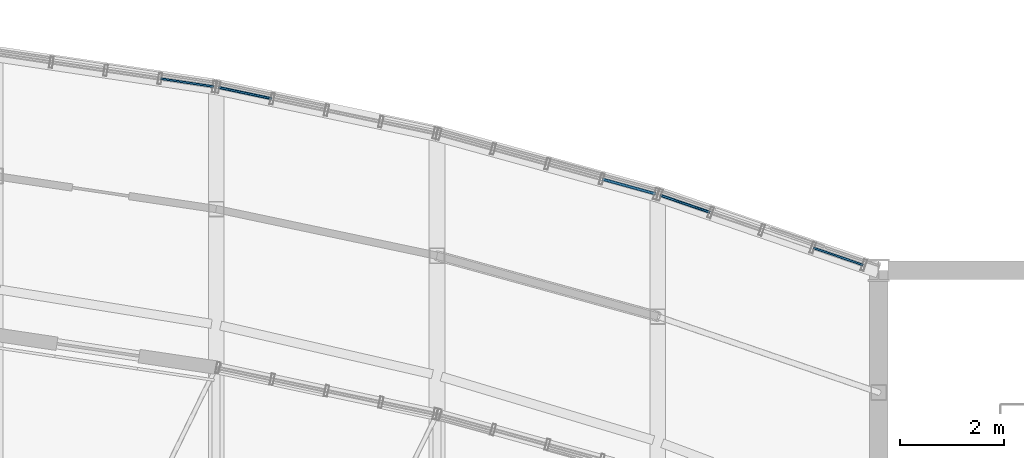
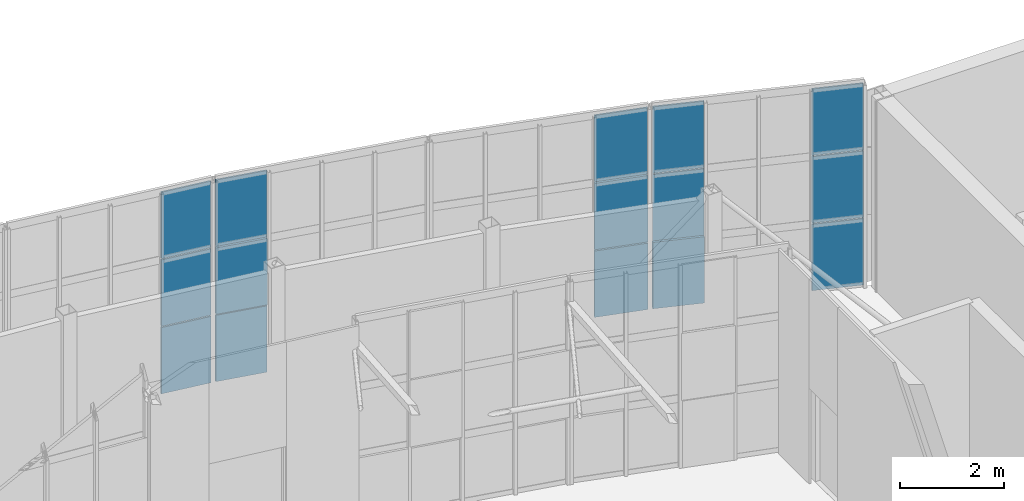
# One storey, part 30 of 35: 15 plates, 4 elements without a shape of their own.
"""IFC4 building model written with IfcOpenShell, lengths in metres."""

import ifcopenshell
import ifcopenshell.guid

model = None  # the IFC model being written
_history = None  # IfcOwnerHistory: only IFC2X3 demands one
_inside = {}  # id of a spatial element -> (the spatial element, [elements in it])
_under = {}  # id of a project, library or spatial element -> (it, [spatial elements below it])
_declared = {}  # id of a project -> (the project, [libraries it declares])
_typed = {}  # id of a type object -> (the type object, [elements of that type])
_made_of = {}  # id of a material, layer set ... -> (it, [elements and type objects made of it])


def new_model(schema):
    """Start an empty IFC model of exactly this schema.

    Asked for "IFC4X3", IfcOpenShell would pick the latest addendum, in which some entities
    have other attributes; the version numbers below select the first issue.
    IFC2X3 requires an IfcOwnerHistory on every rooted entity: one is made here for all.
    """
    global model, _history
    if schema == "IFC4X3":
        model = ifcopenshell.file(schema_version=(4, 3, 0, 0))
    else:
        model = ifcopenshell.file(schema=schema)
    _inside.clear()
    _under.clear()
    _declared.clear()
    _typed.clear()
    _made_of.clear()
    _history = None
    if model.schema == "IFC2X3":
        org = make("IfcOrganization", Name="unknown")
        user = make(
            "IfcPersonAndOrganization",
            ThePerson=make("IfcPerson", FamilyName="unknown"),
            TheOrganization=org,
        )
        app = make(
            "IfcApplication",
            ApplicationDeveloper=org,
            Version="unknown",
            ApplicationFullName="unknown",
            ApplicationIdentifier="unknown",
        )
        _history = make(
            "IfcOwnerHistory",
            OwningUser=user,
            OwningApplication=app,
            ChangeAction="ADDED",
            CreationDate=0,
        )
    return model


def make(cls, **values):
    """One entity of the class cls with the attributes given. An attribute that is None is left unset."""
    return model.create_entity(
        cls, **{name: value for name, value in values.items() if value is not None}
    )


def rooted(cls, **values):
    """An entity with a GlobalId (a new one), such as an element, a storey or a relation."""
    return make(cls, GlobalId=ifcopenshell.guid.new(), OwnerHistory=_history, **values)


def si_unit(unit_type, name, prefix=None):
    """IfcSIUnit, for example si_unit("LENGTHUNIT", "METRE", prefix="MILLI")."""
    return make("IfcSIUnit", UnitType=unit_type, Prefix=prefix, Name=name)


def assignment(units):
    """IfcUnitAssignment: the units of a project."""
    return None if units is None else make("IfcUnitAssignment", Units=units)


def point(xyz):
    """IfcCartesianPoint."""
    return None if xyz is None else make("IfcCartesianPoint", Coordinates=xyz)


def direction(xyz):
    """IfcDirection."""
    return None if xyz is None else make("IfcDirection", DirectionRatios=xyz)


def frame(location, z_axis=None, x_axis=None):
    """IfcAxis2Placement3D, a coordinate frame: its origin and axes. An axis left out is left unset."""
    return make(
        "IfcAxis2Placement3D",
        Location=point(location),
        Axis=direction(z_axis),
        RefDirection=direction(x_axis),
    )


def frame_2d(location, x_axis=None):
    """IfcAxis2Placement2D, a coordinate frame in the plane: its origin and x axis."""
    return make(
        "IfcAxis2Placement2D", Location=point(location), RefDirection=direction(x_axis)
    )


def origin():
    """The frame at (0, 0, 0) with its axes left unset."""
    return frame((0.0, 0.0, 0.0))


def origin_2d():
    """The frame at (0, 0) in the plane with its x axis left unset."""
    return frame_2d((0.0, 0.0))


def place(relative_to, where):
    """IfcLocalPlacement: puts the frame where relative to a parent placement (None: the world)."""
    return make(
        "IfcLocalPlacement", PlacementRelTo=relative_to, RelativePlacement=where
    )


def context(
    kind, dimensions, precision=None, world=None, true_north=None, identifier=None
):
    """IfcGeometricRepresentationContext, for example the 3D "Model" context."""
    return make(
        "IfcGeometricRepresentationContext",
        ContextIdentifier=identifier,
        ContextType=kind,
        CoordinateSpaceDimension=dimensions,
        Precision=precision,
        WorldCoordinateSystem=world,
        TrueNorth=true_north,
    )


def subcontext(parent, identifier, kind, view, scale=None):
    """IfcGeometricRepresentationSubContext, for example "Body" below "Model"."""
    return make(
        "IfcGeometricRepresentationSubContext",
        ContextIdentifier=identifier,
        ContextType=kind,
        ParentContext=parent,
        TargetScale=scale,
        TargetView=view,
    )


def project(units=None, contexts=None):
    """IfcProject with its units and contexts."""
    return rooted(
        "IfcProject",
        Name="project",
        RepresentationContexts=contexts,
        UnitsInContext=assignment(units),
    )


def spatial(cls, under=None, at=None, **own):
    """A site, building, storey or space (cls), placed at a placement, below another one or the project."""
    s = rooted(cls, ObjectPlacement=at, **own)
    if under is not None:
        _under.setdefault(under.id(), (under, []))[1].append(s)
    return s


def profile(cls, at=None, kind="AREA", **sizes):
    """A parametric profile (cls). Its sizes go by their IFC names, for example OverallWidth=200.0."""
    return make(cls, ProfileType=kind, Position=at, **sizes)


def rectangle(**sizes):
    """IfcRectangleProfileDef."""
    return profile("IfcRectangleProfileDef", **sizes)


def extrude(swept, where, along, depth):
    """IfcExtrudedAreaSolid: the profile swept, set in the frame where, extruded along a direction by depth."""
    return make(
        "IfcExtrudedAreaSolid",
        SweptArea=swept,
        Position=where,
        ExtrudedDirection=direction(along),
        Depth=depth,
    )


def shape(context_of_items, identifier, shape_type, items):
    """IfcShapeRepresentation: the items that make up one representation, for example the "Body"."""
    return make(
        "IfcShapeRepresentation",
        ContextOfItems=context_of_items,
        RepresentationIdentifier=identifier,
        RepresentationType=shape_type,
        Items=items,
    )


def material(Name=None, Category=None):
    """IfcMaterial."""
    return make("IfcMaterial", Name=Name, Category=Category)


def layer(
    of_material, thickness, ventilated=None, Name=None, Category=None, Priority=None
):
    """IfcMaterialLayer: one layer of a wall or slab, of a material (None: an air gap)."""
    return make(
        "IfcMaterialLayer",
        Material=of_material,
        LayerThickness=thickness,
        IsVentilated=ventilated,
        Name=Name,
        Category=Category,
        Priority=Priority,
    )


def layer_set(layers, Name=None):
    """IfcMaterialLayerSet."""
    return make("IfcMaterialLayerSet", MaterialLayers=layers, LayerSetName=Name)


def made_of(thing, what):
    """Note that an element or type object is made of a material, layer set ...; save() writes the relation."""
    if what is not None:
        _made_of.setdefault(what.id(), (what, []))[1].append(thing)
    return thing


def type_object(cls, material=None, **own):
    """A type object (cls), such as IfcWallType, which elements share."""
    return made_of(rooted(cls, **own), material)


def element(
    cls,
    number,
    at=None,
    inside=None,
    cuts=None,
    type_object=None,
    material=None,
    context=None,
    identifier="Body",
    shape_type=None,
    held_by="IfcProductDefinitionShape",
    body=None,
    shapes=None,
    **own,
):
    """One element of the class cls, such as IfcWall. Its Tag is "e" and its number.

    at: its placement. inside: the storey or other place that contains it. cuts: it is an
    opening in that element (IfcRelVoidsElement). A single representation is given by context,
    identifier, shape_type and body (its items); several are given by shapes. held_by: the class
    of the entity that holds the representations. save() writes the other relations.
    """
    e = rooted(cls, Tag="e%d" % number, ObjectPlacement=at, **own)
    if body is not None:
        shapes = [shape(context, identifier, shape_type, body)]
    if shapes is not None:
        e.Representation = make(held_by, Representations=shapes)
    if inside is not None:
        _inside.setdefault(inside.id(), (inside, []))[1].append(e)
    if cuts is not None:
        rooted(
            "IfcRelVoidsElement", RelatingBuildingElement=cuts, RelatedOpeningElement=e
        )
    if type_object is not None:
        _typed.setdefault(type_object.id(), (type_object, []))[1].append(e)
    return made_of(e, material)


def aggregate(whole, parts):
    """IfcRelAggregates: a whole, such as a stair, and the parts it consists of."""
    return rooted("IfcRelAggregates", RelatingObject=whole, RelatedObjects=parts)


def save(model, path):
    """Write the relations noted so far, then the file.

    IfcRelAggregates (storeys below a building ...), IfcRelContainedInSpatialStructure (elements
    in a storey), IfcRelDefinesByType, IfcRelAssociatesMaterial and IfcRelDeclares: one each for
    every whole, place, type object, material and project.
    """
    for whole, parts in _under.values():
        aggregate(whole, parts)
    for where, things in _inside.values():
        rooted(
            "IfcRelContainedInSpatialStructure",
            RelatedElements=things,
            RelatingStructure=where,
        )
    for kind, things in _typed.values():
        rooted("IfcRelDefinesByType", RelatedObjects=things, RelatingType=kind)
    for what, things in _made_of.values():
        rooted("IfcRelAssociatesMaterial", RelatedObjects=things, RelatingMaterial=what)
    for by, libraries in _declared.values():
        rooted("IfcRelDeclares", RelatingContext=by, RelatedDefinitions=libraries)
    model.write(path)


model = new_model("IFC4")

# Units and contexts
model_context = context("Model", 3, precision=1e-05, world=origin(), true_north=direction((0.0, 1.0)))
body_context = subcontext(model_context, "Body", "Model", "MODEL_VIEW")
ifc_project = project(units=[si_unit("LENGTHUNIT", "METRE"), si_unit("AREAUNIT", "SQUARE_METRE"), si_unit("VOLUMEUNIT", "CUBIC_METRE"), si_unit("PLANEANGLEUNIT", "RADIAN"), si_unit("MASSUNIT", "GRAM", prefix="KILO")], contexts=[model_context])

# Site, building, storey
site_placement = place(None, origin())
site = spatial("IfcSite", under=ifc_project, at=site_placement, CompositionType="ELEMENT")
building_placement = place(site_placement, origin())
building = spatial("IfcBuilding", under=site, at=building_placement, Name="Solvikara Media Centre", CompositionType="ELEMENT")
storey_placement = place(building_placement, frame((0.0, 0.0, 29.39990234375)))
storey = spatial("IfcBuildingStorey", under=building, at=storey_placement, Name="L06", CompositionType="ELEMENT", Elevation=29.39990234375)

# Curtain wall, plates
ifc_material_1 = material(Name="Anodised aluminium EN AW-6063", Category="aluminium")
curtain_wall_type = type_object("IfcCurtainWallType", Name="CW-13", PredefinedType="NOTDEFINED", material=ifc_material_1)
curtain_wall_1_placement = place(storey_placement, origin())
curtain_wall_1 = element("IfcCurtainWall", 1, at=curtain_wall_1_placement, inside=storey, type_object=curtain_wall_type, Name="CW-L06-NARC-08", PredefinedType="NOTDEFINED")
ifc_material_2 = material(Name="Laminated solar-control cyan vision glass", Category="glass")
ifc_layer_1 = layer(ifc_material_2, 0.035888671875)
ifc_layer_set_1 = layer_set([ifc_layer_1], Name="Laminated solar-control cyan vision glass")
plate_type_1 = type_object("IfcPlateType", Name="PN-04", PredefinedType="CURTAIN_PANEL", material=ifc_layer_set_1)
plate_1_placement = place(storey_placement, frame((114.19189453125, 40.412109375, 0.03466796875), z_axis=(0.0, 0.0, 1.0), x_axis=(0.989005541908, -0.147878457102, 0.0)))
plate_1 = element("IfcPlate", 2, at=plate_1_placement, type_object=plate_type_1, Name="CW-L06-NARC-08-P0300", PredefinedType="CURTAIN_PANEL", context=body_context, shape_type="SweptSolid", body=[
    extrude(rectangle(XDim=1.027099609375, YDim=0.035888671875, at=origin_2d()), origin(), (0.0, 0.0, 1.0), 1.556884765625),
])
plate_2_placement = place(storey_placement, frame((114.19189453125, 40.412109375, 1.62158203125), z_axis=(0.0, 0.0, 1.0), x_axis=(0.989005541908, -0.147878457102, 0.0)))
plate_2 = element("IfcPlate", 3, at=plate_2_placement, type_object=plate_type_1, Name="CW-L06-NARC-08-P0301", PredefinedType="CURTAIN_PANEL", context=body_context, shape_type="SweptSolid", body=[
    extrude(rectangle(XDim=1.027099609375, YDim=0.035888671875, at=origin_2d()), origin(), (0.0, 0.0, 1.0), 1.556884765625),
])
plate_3_placement = place(storey_placement, frame((114.19189453125, 40.412109375, 3.20849609375), z_axis=(0.0, 0.0, 1.0), x_axis=(0.989005541908, -0.147878457102, 0.0)))
plate_3 = element("IfcPlate", 4, at=plate_3_placement, type_object=plate_type_1, Name="CW-L06-NARC-08-P0302", PredefinedType="CURTAIN_PANEL", context=body_context, shape_type="SweptSolid", body=[
    extrude(rectangle(XDim=1.027099609375, YDim=0.035888671875, at=origin_2d()), origin(), (0.0, 0.0, 1.0), 1.556884765625),
])
aggregate(curtain_wall_1, [plate_1, plate_2, plate_3])

curtain_wall_2_placement = place(storey_placement, origin())
curtain_wall_2 = element("IfcCurtainWall", 5, at=curtain_wall_2_placement, inside=storey, type_object=curtain_wall_type, Name="CW-L06-NARC-09", PredefinedType="NOTDEFINED")
plate_4_placement = place(storey_placement, frame((115.305908203125, 40.2119140625, 0.03466796875), z_axis=(0.0, 0.0, 1.0), x_axis=(0.97837923005, -0.206818959981, 0.0)))
plate_4 = element("IfcPlate", 6, at=plate_4_placement, type_object=plate_type_1, Name="CW-L06-NARC-09-P0000", PredefinedType="CURTAIN_PANEL", context=body_context, shape_type="SweptSolid", body=[
    extrude(rectangle(XDim=1.0390625, YDim=0.035888671875, at=origin_2d()), origin(), (0.0, 0.0, 1.0), 1.556884765625),
])
plate_5_placement = place(storey_placement, frame((115.305908203125, 40.2119140625, 3.20849609375), z_axis=(0.0, 0.0, 1.0), x_axis=(0.97837923005, -0.206818959981, 0.0)))
plate_5 = element("IfcPlate", 7, at=plate_5_placement, type_object=plate_type_1, Name="CW-L06-NARC-09-P0002", PredefinedType="CURTAIN_PANEL", context=body_context, shape_type="SweptSolid", body=[
    extrude(rectangle(XDim=1.0390625, YDim=0.035888671875, at=origin_2d()), origin(), (0.0, 0.0, 1.0), 1.556884765625),
])

# Curtain wall, plate
curtain_wall_3_placement = place(storey_placement, origin())
curtain_wall_3 = element("IfcCurtainWall", 8, at=curtain_wall_3_placement, inside=storey, type_object=curtain_wall_type, Name="CW-L06-NARC-10", PredefinedType="NOTDEFINED")
plate_6_placement = place(storey_placement, frame((122.693115234375, 38.4130859375, 3.20849609375), z_axis=(0.0, 0.0, 1.0), x_axis=(0.964030487854, -0.265791682504, 0.0)))
plate_6 = element("IfcPlate", 9, at=plate_6_placement, type_object=plate_type_1, Name="CW-L06-NARC-10-P0302", PredefinedType="CURTAIN_PANEL", context=body_context, shape_type="SweptSolid", body=[
    extrude(rectangle(XDim=1.054931640625, YDim=0.035888671875, at=origin_2d()), origin(), (0.0, 0.0, 1.0), 1.556884765625),
])

# Curtain wall, plates
curtain_wall_4_placement = place(storey_placement, origin())
curtain_wall_4 = element("IfcCurtainWall", 10, at=curtain_wall_4_placement, inside=storey, type_object=curtain_wall_type, Name="CW-L06-NARC-11", PredefinedType="NOTDEFINED")
plate_7_placement = place(storey_placement, frame((123.77490234375, 38.080078125, 1.62158203125), z_axis=(0.0, 0.0, 1.0), x_axis=(0.945705932557, -0.325023520882, 0.0)))
plate_7 = element("IfcPlate", 11, at=plate_7_placement, type_object=plate_type_1, Name="CW-L06-NARC-11-P0001", PredefinedType="CURTAIN_PANEL", context=body_context, shape_type="SweptSolid", body=[
    extrude(rectangle(XDim=1.009033203125, YDim=0.035888671875, at=origin_2d()), origin(), (0.0, 0.0, 1.0), 1.556884765625),
])
plate_8_placement = place(storey_placement, frame((123.77490234375, 38.080078125, 3.20849609375), z_axis=(0.0, 0.0, 1.0), x_axis=(0.945705932557, -0.325023520882, 0.0)))
plate_8 = element("IfcPlate", 12, at=plate_8_placement, type_object=plate_type_1, Name="CW-L06-NARC-11-P0002", PredefinedType="CURTAIN_PANEL", context=body_context, shape_type="SweptSolid", body=[
    extrude(rectangle(XDim=1.009033203125, YDim=0.035888671875, at=origin_2d()), origin(), (0.0, 0.0, 1.0), 1.556884765625),
])
plate_9_placement = place(storey_placement, frame((126.722900390625, 37.06689453125, 0.03466796875), z_axis=(0.0, 0.0, 1.0), x_axis=(0.945705932557, -0.325023520882, 0.0)))
plate_9 = element("IfcPlate", 13, at=plate_9_placement, type_object=plate_type_1, Name="CW-L06-NARC-11-P0300", PredefinedType="CURTAIN_PANEL", context=body_context, shape_type="SweptSolid", body=[
    extrude(rectangle(XDim=1.009033203125, YDim=0.035888671875, at=origin_2d()), origin(), (0.0, 0.0, 1.0), 1.556884765625),
])
plate_10_placement = place(storey_placement, frame((126.722900390625, 37.06689453125, 1.62158203125), z_axis=(0.0, 0.0, 1.0), x_axis=(0.945705932557, -0.325023520882, 0.0)))
plate_10 = element("IfcPlate", 14, at=plate_10_placement, type_object=plate_type_1, Name="CW-L06-NARC-11-P0301", PredefinedType="CURTAIN_PANEL", context=body_context, shape_type="SweptSolid", body=[
    extrude(rectangle(XDim=1.009033203125, YDim=0.035888671875, at=origin_2d()), origin(), (0.0, 0.0, 1.0), 1.556884765625),
])
plate_11_placement = place(storey_placement, frame((126.722900390625, 37.06689453125, 3.20849609375), z_axis=(0.0, 0.0, 1.0), x_axis=(0.945705932557, -0.325023520882, 0.0)))
plate_11 = element("IfcPlate", 15, at=plate_11_placement, type_object=plate_type_1, Name="CW-L06-NARC-11-P0302", PredefinedType="CURTAIN_PANEL", context=body_context, shape_type="SweptSolid", body=[
    extrude(rectangle(XDim=1.009033203125, YDim=0.035888671875, at=origin_2d()), origin(), (0.0, 0.0, 1.0), 1.556884765625),
])

# Plate
ifc_material_3 = material(Name="Insulated silver-pearl glass spandrel panel", Category="glass")
ifc_layer_2 = layer(ifc_material_3, 0.054931640625)
ifc_layer_set_2 = layer_set([ifc_layer_2], Name="Insulated silver-pearl glass spandrel panel")
plate_type_2 = type_object("IfcPlateType", Name="PN-05", PredefinedType="CURTAIN_PANEL", material=ifc_layer_set_2)
plate_12_placement = place(storey_placement, frame((115.305908203125, 40.2119140625, 1.62158203125), z_axis=(0.0, 0.0, 1.0), x_axis=(0.97837923005, -0.206818959981, 0.0)))
plate_12 = element("IfcPlate", 16, at=plate_12_placement, type_object=plate_type_2, Name="CW-L06-NARC-09-P0001", PredefinedType="CURTAIN_PANEL", context=body_context, shape_type="SweptSolid", body=[
    extrude(rectangle(XDim=1.0390625, YDim=0.054931640625, at=origin_2d()), origin(), (0.0, 0.0, 1.0), 1.556884765625),
])

aggregate(curtain_wall_2, [plate_4, plate_12, plate_5])

plate_13_placement = place(storey_placement, frame((122.693115234375, 38.4130859375, 0.03466796875), z_axis=(0.0, 0.0, 1.0), x_axis=(0.964030487854, -0.265791682504, 0.0)))
plate_13 = element("IfcPlate", 17, at=plate_13_placement, type_object=plate_type_2, Name="CW-L06-NARC-10-P0300", PredefinedType="CURTAIN_PANEL", context=body_context, shape_type="SweptSolid", body=[
    extrude(rectangle(XDim=1.054931640625, YDim=0.054931640625, at=origin_2d()), origin(), (0.0, 0.0, 1.0), 1.556884765625),
])

plate_14_placement = place(storey_placement, frame((122.693115234375, 38.4130859375, 1.62158203125), z_axis=(0.0, 0.0, 1.0), x_axis=(0.964030487854, -0.265791682504, 0.0)))
plate_14 = element("IfcPlate", 18, at=plate_14_placement, type_object=plate_type_2, Name="CW-L06-NARC-10-P0301", PredefinedType="CURTAIN_PANEL", context=body_context, shape_type="SweptSolid", body=[
    extrude(rectangle(XDim=1.054931640625, YDim=0.054931640625, at=origin_2d()), origin(), (0.0, 0.0, 1.0), 1.556884765625),
])

aggregate(curtain_wall_3, [plate_13, plate_14, plate_6])

plate_15_placement = place(storey_placement, frame((123.77490234375, 38.080078125, 0.03466796875), z_axis=(0.0, 0.0, 1.0), x_axis=(0.945705932557, -0.325023520882, 0.0)))
plate_15 = element("IfcPlate", 19, at=plate_15_placement, type_object=plate_type_2, Name="CW-L06-NARC-11-P0000", PredefinedType="CURTAIN_PANEL", context=body_context, shape_type="SweptSolid", body=[
    extrude(rectangle(XDim=1.009033203125, YDim=0.054931640625, at=origin_2d()), origin(), (0.0, 0.0, 1.0), 1.556884765625),
])

aggregate(curtain_wall_4, [plate_15, plate_7, plate_8, plate_9, plate_10, plate_11])

save(model, "model.ifc")
